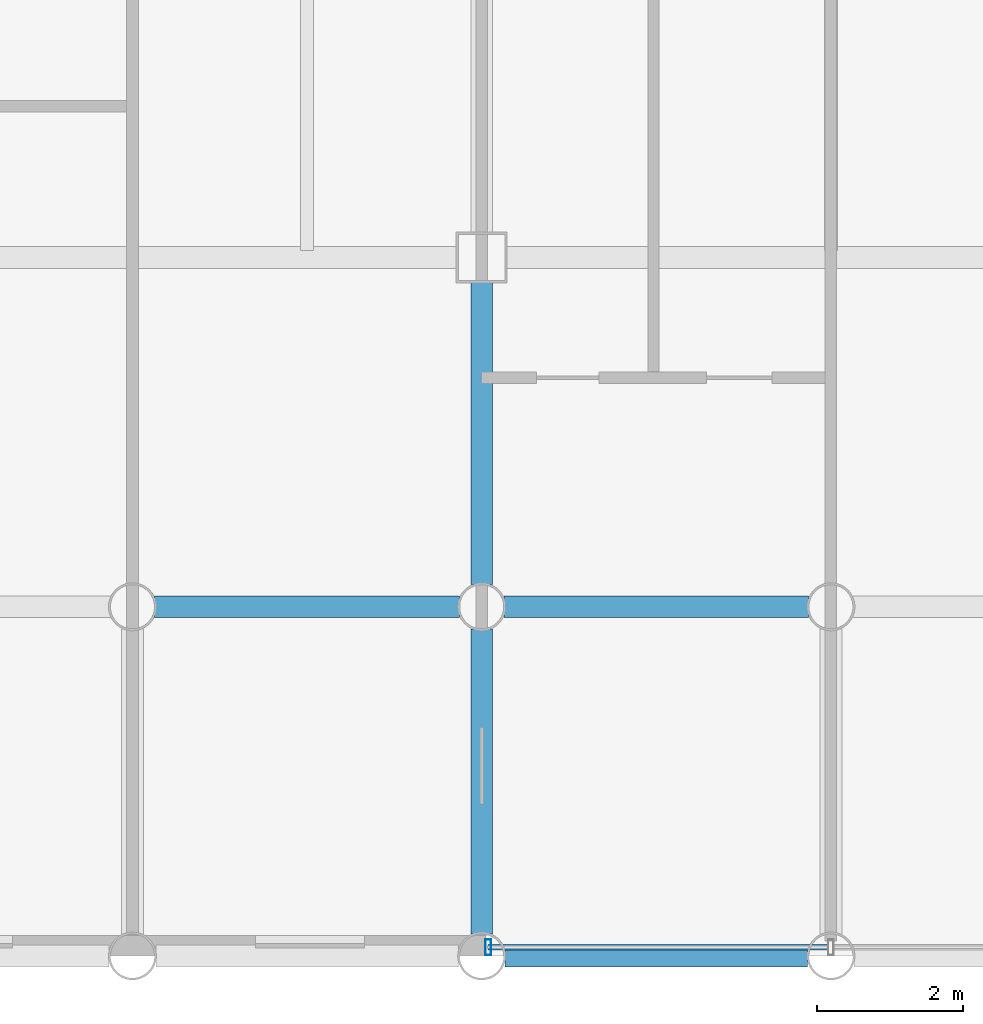
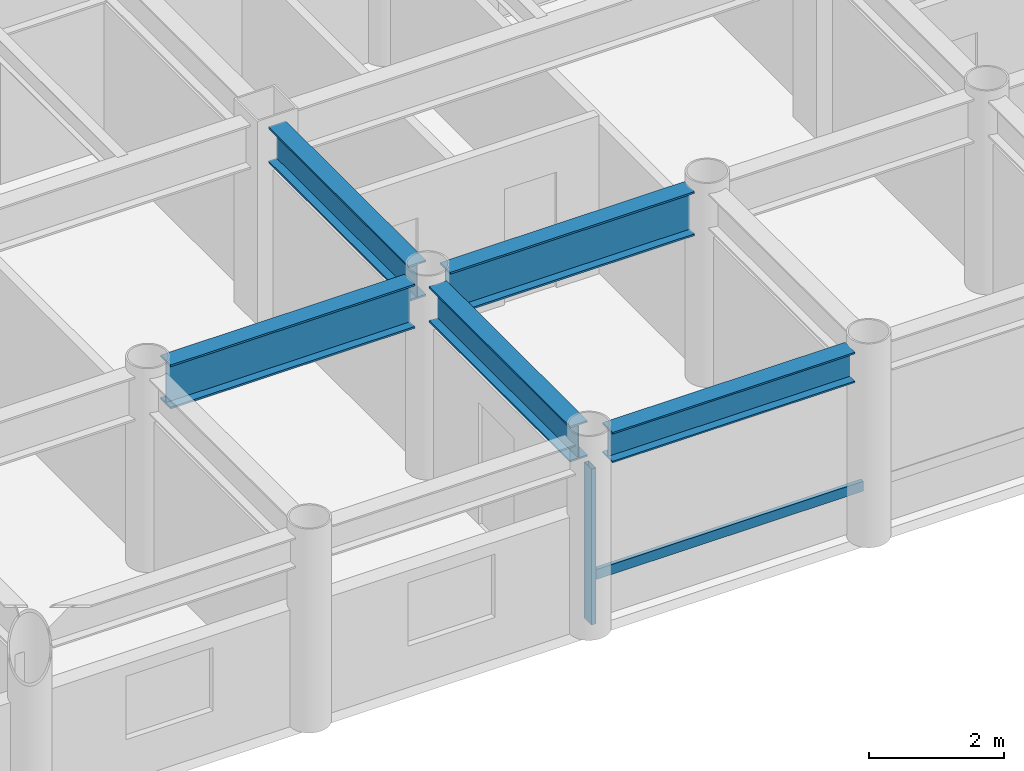
# One storey, part 2 of 20: 5 beams, 2 members, 1 element without a shape of its own.
"""IFC4 building model written with IfcOpenShell, lengths in metres."""

from ifc_helpers import new_model, si_unit, direction, frame, origin, origin_2d, place, context, subcontext, project, spatial, hollow_rectangle, i_section, extrude, material, layer, layer_set, material_profile, profile_set, type_object, element, aggregate, save


model = new_model("IFC4")

# Units and contexts
model_context = context("Model", 3, precision=1e-05, world=origin(), true_north=direction((0.0, 1.0)))
body_context = subcontext(model_context, "Body", "Model", "MODEL_VIEW")
ifc_project = project(units=[si_unit("LENGTHUNIT", "METRE"), si_unit("AREAUNIT", "SQUARE_METRE"), si_unit("VOLUMEUNIT", "CUBIC_METRE"), si_unit("PLANEANGLEUNIT", "RADIAN"), si_unit("MASSUNIT", "GRAM", prefix="KILO")], contexts=[model_context])

# Site, building, storey
site_placement = place(None, origin())
site = spatial("IfcSite", under=ifc_project, at=site_placement, CompositionType="ELEMENT")
building_placement = place(site_placement, origin())
building = spatial("IfcBuilding", under=site, at=building_placement, Name="Kallvorn Hotel Tower", CompositionType="ELEMENT")
storey_placement = place(building_placement, frame((0.0, 0.0, 161.800048828125)))
storey = spatial("IfcBuildingStorey", under=building, at=storey_placement, Name="L40", CompositionType="ELEMENT", Elevation=161.800048828125)

# Beams
ifc_material_1 = material(Name="Structural steel S355JR", Category="steel")
ifc_material_profile_1 = material_profile(ifc_material_1, i_section(OverallWidth=0.300048828125, OverallDepth=0.550048828125, WebThickness=0.014892578125, FlangeThickness=0.029052734375, at=origin_2d()), Name="HE 550 B")
ifc_profile_set_1 = profile_set([ifc_material_profile_1], Name="Structural steel S355JR")
beam_type_1 = type_object("IfcBeamType", Name="BM_HE550B", PredefinedType="SPANDREL", material=ifc_profile_set_1)
beam_1_placement = place(storey_placement, frame((-4.47998046875, -24.0, 3.244873046875), z_axis=(1.0, 0.0, 0.0), x_axis=(0.0, 1.0, 0.0)))
element("IfcBeam", 1, at=beam_1_placement, inside=storey, type_object=beam_type_1, Name="L41 Perimeter Spandrel 156", PredefinedType="SPANDREL", context=body_context, shape_type="SweptSolid", body=[
    extrude(i_section(OverallWidth=0.300048828125, OverallDepth=0.550048828125, WebThickness=0.014892578125, FlangeThickness=0.029052734375, at=origin_2d()), origin(), (0.0, 0.0, 1.0), 4.159912109375),
])
ifc_material_2 = material(Name="Structural steel S355JR", Category="steel")
ifc_material_profile_2 = material_profile(ifc_material_2, i_section(OverallWidth=0.300048828125, OverallDepth=0.64990234375, WebThickness=0.01611328125, FlangeThickness=0.031005859375, at=origin_2d()), Name="HE 650 B")
ifc_profile_set_2 = profile_set([ifc_material_profile_2], Name="Structural steel S355JR")
beam_type_2 = type_object("IfcBeamType", Name="BM_HE650B", PredefinedType="BEAM", material=ifc_profile_set_2)
beam_2_placement = place(storey_placement, frame((-4.800048828125, -23.695068359375, 3.195068359375), z_axis=(0.0, 1.0, 0.0), x_axis=(-1.0, 0.0, 0.0)))
element("IfcBeam", 2, at=beam_2_placement, inside=storey, type_object=beam_type_2, Name="L41 Primary Y-Girder 106", PredefinedType="BEAM", context=body_context, shape_type="SweptSolid", body=[
    extrude(i_section(OverallWidth=0.300048828125, OverallDepth=0.64990234375, WebThickness=0.01611328125, FlangeThickness=0.031005859375, at=origin_2d()), origin(), (0.0, 0.0, 1.0), 4.190185546875),
])
beam_3_placement = place(storey_placement, frame((-4.800048828125, -18.89501953125, 3.195068359375), z_axis=(0.0, 1.0, 0.0), x_axis=(-1.0, 0.0, 0.0)))
element("IfcBeam", 3, at=beam_3_placement, inside=storey, type_object=beam_type_2, Name="L41 Primary Y-Girder 107", PredefinedType="BEAM", context=body_context, shape_type="SweptSolid", body=[
    extrude(i_section(OverallWidth=0.300048828125, OverallDepth=0.64990234375, WebThickness=0.01611328125, FlangeThickness=0.031005859375, at=origin_2d()), origin(), (0.0, 0.0, 1.0), 4.169921875),
])
ifc_material_3 = material(Name="Structural steel S355JR", Category="steel")
ifc_material_profile_3 = material_profile(ifc_material_3, i_section(OverallWidth=0.300048828125, OverallDepth=0.800048828125, WebThickness=0.017578125, FlangeThickness=0.032958984375, at=origin_2d()), Name="HE 800 B")
ifc_profile_set_3 = profile_set([ifc_material_profile_3], Name="Structural steel S355JR")
beam_type_3 = type_object("IfcBeamType", Name="BM_HE800B", PredefinedType="BEAM", material=ifc_profile_set_3)
beam_4_placement = place(storey_placement, frame((-9.294921875, -19.199951171875, 3.119873046875), z_axis=(1.0, 0.0, 0.0), x_axis=(0.0, 1.0, 0.0)))
element("IfcBeam", 4, at=beam_4_placement, inside=storey, type_object=beam_type_3, Name="L41 Primary X-Girder 06", PredefinedType="BEAM", context=body_context, shape_type="SweptSolid", body=[
    extrude(i_section(OverallWidth=0.300048828125, OverallDepth=0.800048828125, WebThickness=0.017578125, FlangeThickness=0.032958984375, at=origin_2d()), origin(), (0.0, 0.0, 1.0), 4.18994140625),
])
beam_5_placement = place(storey_placement, frame((-4.4951171875, -19.199951171875, 3.119873046875), z_axis=(1.0, 0.0, 0.0), x_axis=(0.0, 1.0, 0.0)))
element("IfcBeam", 5, at=beam_5_placement, inside=storey, type_object=beam_type_3, Name="L41 Primary X-Girder 07", PredefinedType="BEAM", context=body_context, shape_type="SweptSolid", body=[
    extrude(i_section(OverallWidth=0.300048828125, OverallDepth=0.800048828125, WebThickness=0.017578125, FlangeThickness=0.032958984375, at=origin_2d()), origin(), (0.0, 0.0, 1.0), 4.190185546875),
])

# Curtain wall, members
ifc_material_4 = material(Name="Thermally broken black-anodised aluminium AA 6063-T6", Category="aluminium")
ifc_layer = layer(ifc_material_4, 0.2099609375)
ifc_layer_set = layer_set([ifc_layer], Name="CW_SYS_4_HOTEL_MID")
curtain_wall_type = type_object("IfcCurtainWallType", Name="CW_SYS_4_HOTEL_MID", PredefinedType="USERDEFINED", material=ifc_layer_set)
curtain_wall_placement = place(storey_placement, origin())
curtain_wall = element("IfcCurtainWall", 6, at=curtain_wall_placement, inside=storey, type_object=curtain_wall_type, Name="L40 Dark-Glass Curtain Wall CW-L40-SC", ObjectType="UNITISED CURTAIN WALL", PredefinedType="USERDEFINED")
ifc_material_5 = material(Name="Thermally broken black-anodised aluminium AA 6063-T6", Category="aluminium")
ifc_material_profile_4 = material_profile(ifc_material_5, hollow_rectangle(XDim=0.080078125, YDim=0.219970703125, WallThickness=0.0048828125, at=origin_2d()), Name="MUL 220x80")
ifc_profile_set_4 = profile_set([ifc_material_profile_4], Name="Thermally broken black-anodised aluminium AA 6063-T6")
member_type_1 = type_object("IfcMemberType", Name="CW_MULLION_220x80", PredefinedType="MULLION", material=ifc_profile_set_4)
member_1_placement = place(storey_placement, frame((-4.7099609375, -23.8798828125, 0.02001953125), z_axis=(0.0, 0.0, 1.0), x_axis=(1.0, 0.0, 0.0)))
member_1 = element("IfcMember", 7, at=member_1_placement, type_object=member_type_1, Name="CW-L40-SC Mullion 00", PredefinedType="MULLION", context=body_context, shape_type="SweptSolid", body=[
    extrude(hollow_rectangle(XDim=0.080078125, YDim=0.219970703125, WallThickness=0.0048828125, at=origin_2d()), origin(), (0.0, 0.0, 1.0), 2.829833984375),
])
ifc_material_6 = material(Name="Thermally broken black-anodised aluminium AA 6063-T6", Category="aluminium")
ifc_material_profile_5 = material_profile(ifc_material_6, hollow_rectangle(XDim=0.070068359375, YDim=0.179931640625, WallThickness=0.00390625, at=origin_2d()), Name="TRN 180x70")
ifc_profile_set_5 = profile_set([ifc_material_profile_5], Name="Thermally broken black-anodised aluminium AA 6063-T6")
member_type_2 = type_object("IfcMemberType", Name="CW_TRANSOM_180x70", PredefinedType="USERDEFINED", material=ifc_profile_set_5)
member_2_placement = place(storey_placement, frame((-4.7099609375, -23.8798828125, 0.849853515625), z_axis=(1.0, 0.0, 0.0), x_axis=(0.0, 1.0, 0.0)))
member_2 = element("IfcMember", 8, at=member_2_placement, type_object=member_type_2, Name="CW-L40-SC Transom 00M", ObjectType="TRANSOM", PredefinedType="USERDEFINED", context=body_context, shape_type="SweptSolid", body=[
    extrude(hollow_rectangle(XDim=0.070068359375, YDim=0.179931640625, WallThickness=0.00390625, at=origin_2d()), origin(), (0.0, 0.0, 1.0), 4.669921875),
])
aggregate(curtain_wall, [member_1, member_2])

save(model, "model.ifc")
